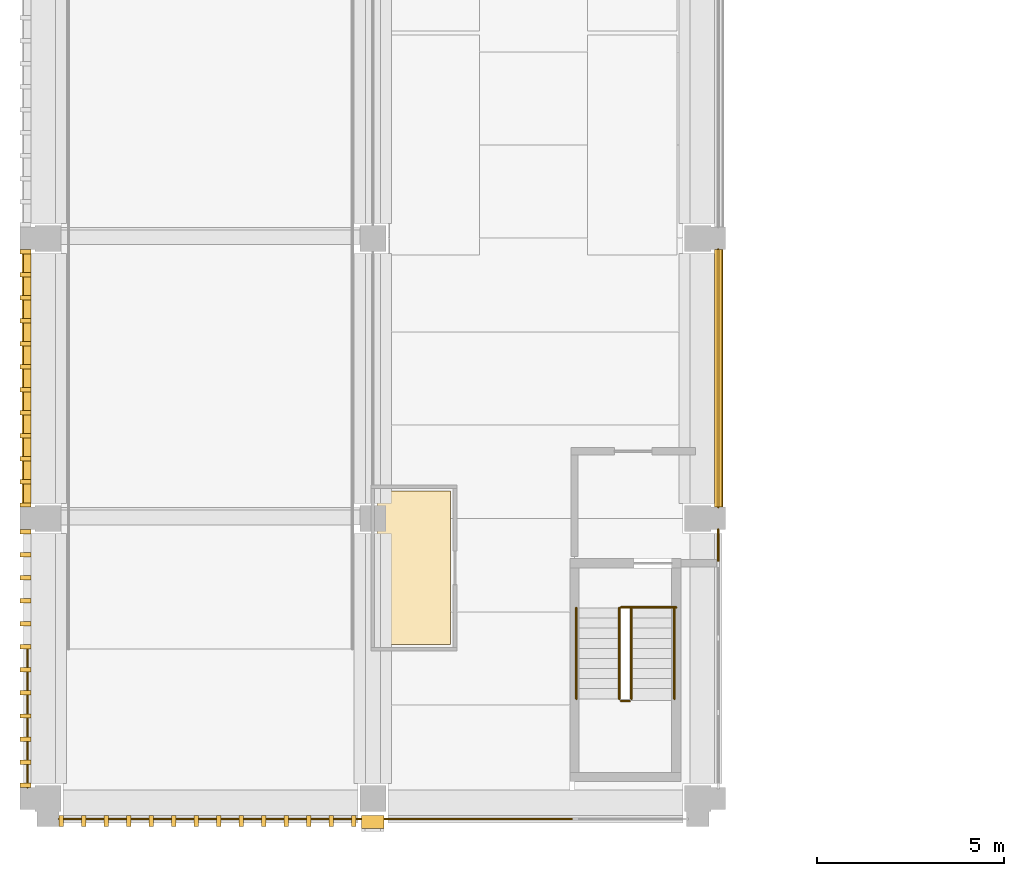
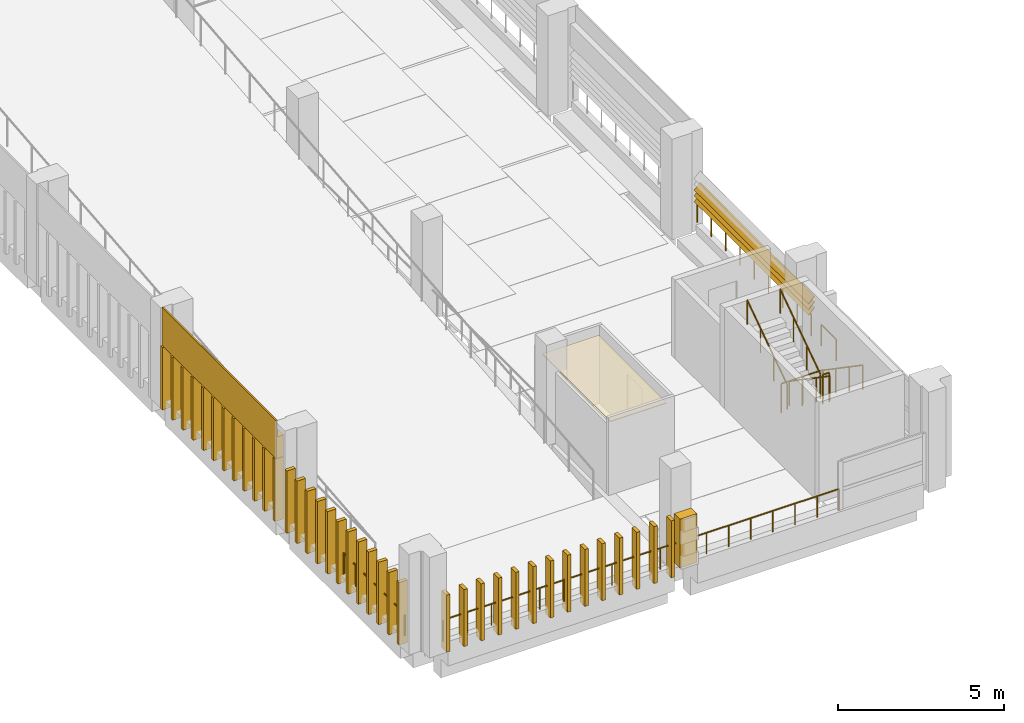
# One storey, part 15 of 24: 41 coverings, 11 railings, 3 shading devices.
"""IFC4 building model written with IfcOpenShell, lengths in metres."""

from ifc_helpers import new_model, si_unit, direction, frame, origin, origin_2d, place, context, subcontext, project, spatial, polyline, circle, outline, extrude, material, layer, layer_set, type_object, element, save


model = new_model("IFC4")

# Units and contexts
model_context = context("Model", 3, precision=1e-05, world=origin(), true_north=direction((0.0, 1.0)))
body_context = subcontext(model_context, "Body", "Model", "MODEL_VIEW")
ifc_project = project(units=[si_unit("LENGTHUNIT", "METRE"), si_unit("AREAUNIT", "SQUARE_METRE"), si_unit("VOLUMEUNIT", "CUBIC_METRE"), si_unit("PLANEANGLEUNIT", "RADIAN"), si_unit("MASSUNIT", "GRAM", prefix="KILO")], contexts=[model_context])

# Site, building, storey
site_placement = place(None, origin())
site = spatial("IfcSite", under=ifc_project, at=site_placement, CompositionType="ELEMENT")
building_placement = place(site_placement, origin())
building = spatial("IfcBuilding", under=site, at=building_placement, Name="Cour d'Honneur Mobility Palace", CompositionType="ELEMENT")
storey_placement = place(building_placement, frame((0.0, 0.0, 26.699951171875)))
storey = spatial("IfcBuildingStorey", under=building, at=storey_placement, Name="L07", CompositionType="ELEMENT", Elevation=26.699951171875)

# Railings
ifc_material_1 = material(Name="Painted steel", Category="steel")
railing_type_1 = type_object("IfcRailingType", Name="Balustrade", PredefinedType="BALUSTRADE", material=ifc_material_1)
railing_1_placement = place(storey_placement, frame((0.300048828125, -0.550048828125, 0.300048828125)))
element("IfcRailing", 1, at=railing_1_placement, inside=storey, type_object=railing_type_1, Name="Balustrade BAL-364", PredefinedType="BALUSTRADE", context=body_context, shape_type="SweptSolid", body=[
    extrude(circle(Radius=0.02392578125, at=origin_2d()), frame((0.0, 0.0, 0.77587890625), z_axis=(1.0, 0.0, 0.0), x_axis=(0.0, 1.0, 0.0)), (0.0, 0.0, 1.0), 8.39990234375),
    extrude(circle(Radius=0.02099609375, at=origin_2d()), origin(), (0.0, 0.0, 1.0), 0.751953125),
    extrude(circle(Radius=0.02099609375, at=origin_2d()), frame((0.840087890625, 0.0, 0.0)), (0.0, 0.0, 1.0), 0.751953125),
    extrude(circle(Radius=0.02099609375, at=origin_2d()), frame((1.679931640625, 0.0, 0.0)), (0.0, 0.0, 1.0), 0.751953125),
    extrude(circle(Radius=0.02099609375, at=origin_2d()), frame((2.52001953125, 0.0, 0.0)), (0.0, 0.0, 1.0), 0.751953125),
    extrude(circle(Radius=0.02099609375, at=origin_2d()), frame((3.35986328125, 0.0, 0.0)), (0.0, 0.0, 1.0), 0.751953125),
    extrude(circle(Radius=0.02099609375, at=origin_2d()), frame((4.199951171875, 0.0, 0.0)), (0.0, 0.0, 1.0), 0.751953125),
    extrude(circle(Radius=0.02099609375, at=origin_2d()), frame((5.0400390625, 0.0, 0.0)), (0.0, 0.0, 1.0), 0.751953125),
    extrude(circle(Radius=0.02099609375, at=origin_2d()), frame((5.8798828125, 0.0, 0.0)), (0.0, 0.0, 1.0), 0.751953125),
    extrude(circle(Radius=0.02099609375, at=origin_2d()), frame((6.719970703125, 0.0, 0.0)), (0.0, 0.0, 1.0), 0.751953125),
    extrude(circle(Radius=0.02099609375, at=origin_2d()), frame((7.559814453125, 0.0, 0.0)), (0.0, 0.0, 1.0), 0.751953125),
    extrude(circle(Radius=0.02099609375, at=origin_2d()), frame((8.39990234375, 0.0, 0.0)), (0.0, 0.0, 1.0), 0.751953125),
])
railing_2_placement = place(storey_placement, frame((8.699951171875, -0.550048828125, 0.300048828125)))
element("IfcRailing", 2, at=railing_2_placement, inside=storey, type_object=railing_type_1, Name="Balustrade BAL-365", PredefinedType="BALUSTRADE", context=body_context, shape_type="SweptSolid", body=[
    extrude(circle(Radius=0.02392578125, at=origin_2d()), frame((0.0, 0.0, 0.77587890625), z_axis=(1.0, 0.0, 0.0), x_axis=(0.0, 1.0, 0.0)), (0.0, 0.0, 1.0), 5.400146484375),
    extrude(circle(Radius=0.02099609375, at=origin_2d()), origin(), (0.0, 0.0, 1.0), 0.751953125),
    extrude(circle(Radius=0.02099609375, at=origin_2d()), frame((0.771484375, 0.0, 0.0)), (0.0, 0.0, 1.0), 0.751953125),
    extrude(circle(Radius=0.02099609375, at=origin_2d()), frame((1.54296875, 0.0, 0.0)), (0.0, 0.0, 1.0), 0.751953125),
    extrude(circle(Radius=0.02099609375, at=origin_2d()), frame((2.314453125, 0.0, 0.0)), (0.0, 0.0, 1.0), 0.751953125),
    extrude(circle(Radius=0.02099609375, at=origin_2d()), frame((3.085693359375, 0.0, 0.0)), (0.0, 0.0, 1.0), 0.751953125),
    extrude(circle(Radius=0.02099609375, at=origin_2d()), frame((3.857177734375, 0.0, 0.0)), (0.0, 0.0, 1.0), 0.751953125),
    extrude(circle(Radius=0.02099609375, at=origin_2d()), frame((4.628662109375, 0.0, 0.0)), (0.0, 0.0, 1.0), 0.751953125),
    extrude(circle(Radius=0.02099609375, at=origin_2d()), frame((5.400146484375, 0.0, 0.0)), (0.0, 0.0, 1.0), 0.751953125),
])
railing_3_placement = place(storey_placement, frame((17.949951171875, 6.300048828125, 0.300048828125)))
element("IfcRailing", 3, at=railing_3_placement, inside=storey, type_object=railing_type_1, Name="Balustrade BAL-366", PredefinedType="BALUSTRADE", context=body_context, shape_type="SweptSolid", body=[
    extrude(circle(Radius=0.02392578125, at=origin_2d()), frame((0.0, 0.0, 0.77587890625), z_axis=(0.0, 1.0, 0.0), x_axis=(-1.0, 0.0, 0.0)), (0.0, 0.0, 1.0), 0.89990234375),
    extrude(circle(Radius=0.02099609375, at=origin_2d()), origin(), (0.0, 0.0, 1.0), 0.751953125),
    extrude(circle(Radius=0.02099609375, at=origin_2d()), frame((0.0, 0.89990234375, 0.0)), (0.0, 0.0, 1.0), 0.751953125),
])
railing_4_placement = place(storey_placement, frame((17.949951171875, 7.800048828125, 0.300048828125)))
element("IfcRailing", 4, at=railing_4_placement, inside=storey, type_object=railing_type_1, Name="Balustrade BAL-367", PredefinedType="BALUSTRADE", context=body_context, shape_type="SweptSolid", body=[
    extrude(circle(Radius=0.02392578125, at=origin_2d()), frame((0.0, 0.0, 0.77587890625), z_axis=(0.0, 1.0, 0.0), x_axis=(-1.0, 0.0, 0.0)), (0.0, 0.0, 1.0), 6.89990234375),
    extrude(circle(Radius=0.02099609375, at=origin_2d()), origin(), (0.0, 0.0, 1.0), 0.751953125),
    extrude(circle(Radius=0.02099609375, at=origin_2d()), frame((0.0, 0.862548828125, 0.0)), (0.0, 0.0, 1.0), 0.751953125),
    extrude(circle(Radius=0.02099609375, at=origin_2d()), frame((0.0, 1.72509765625, 0.0)), (0.0, 0.0, 1.0), 0.751953125),
    extrude(circle(Radius=0.02099609375, at=origin_2d()), frame((0.0, 2.58740234375, 0.0)), (0.0, 0.0, 1.0), 0.751953125),
    extrude(circle(Radius=0.02099609375, at=origin_2d()), frame((0.0, 3.449951171875, 0.0)), (0.0, 0.0, 1.0), 0.751953125),
    extrude(circle(Radius=0.02099609375, at=origin_2d()), frame((0.0, 4.3125, 0.0)), (0.0, 0.0, 1.0), 0.751953125),
    extrude(circle(Radius=0.02099609375, at=origin_2d()), frame((0.0, 5.1748046875, 0.0)), (0.0, 0.0, 1.0), 0.751953125),
    extrude(circle(Radius=0.02099609375, at=origin_2d()), frame((0.0, 6.037353515625, 0.0)), (0.0, 0.0, 1.0), 0.751953125),
    extrude(circle(Radius=0.02099609375, at=origin_2d()), frame((0.0, 6.89990234375, 0.0)), (0.0, 0.0, 1.0), 0.751953125),
])
railing_5_placement = place(storey_placement, frame((-0.550048828125, 4.0, 0.300048828125)))
element("IfcRailing", 5, at=railing_5_placement, inside=storey, type_object=railing_type_1, Name="Balustrade BAL-375", PredefinedType="BALUSTRADE", context=body_context, shape_type="SweptSolid", body=[
    extrude(circle(Radius=0.02392578125, at=origin_2d()), frame((0.0, 0.0, 0.77587890625), z_axis=(0.0, -1.0, 0.0), x_axis=(1.0, 0.0, 0.0)), (0.0, 0.0, 1.0), 3.699951171875),
    extrude(circle(Radius=0.02099609375, at=origin_2d()), origin(), (0.0, 0.0, 1.0), 0.751953125),
    extrude(circle(Radius=0.02099609375, at=origin_2d()), frame((0.0, -0.739990234375, 0.0)), (0.0, 0.0, 1.0), 0.751953125),
    extrude(circle(Radius=0.02099609375, at=origin_2d()), frame((0.0, -1.47998046875, 0.0)), (0.0, 0.0, 1.0), 0.751953125),
    extrude(circle(Radius=0.02099609375, at=origin_2d()), frame((0.0, -2.219970703125, 0.0)), (0.0, 0.0, 1.0), 0.751953125),
    extrude(circle(Radius=0.02099609375, at=origin_2d()), frame((0.0, -2.9599609375, 0.0)), (0.0, 0.0, 1.0), 0.751953125),
    extrude(circle(Radius=0.02099609375, at=origin_2d()), frame((0.0, -3.699951171875, 0.0)), (0.0, 0.0, 1.0), 0.751953125),
])
ifc_material_2 = material(Name="Painted steel", Category="steel")
railing_type_2 = type_object("IfcRailingType", Name="Guardrail 1100", PredefinedType="GUARDRAIL", material=ifc_material_2)
railing_6_placement = place(storey_placement, frame((15.35009765625, 5.1201171875, 0.0)))
element("IfcRailing", 6, at=railing_6_placement, inside=storey, type_object=railing_type_2, Name="Guard ST-RW1", PredefinedType="GUARDRAIL", context=body_context, shape_type="SweptSolid", body=[
    extrude(circle(Radius=0.02490234375, at=origin_2d()), frame((0.0, 0.0, 1.0751953125), z_axis=(1.0, 0.0, 0.0), x_axis=(0.0, 1.0, 0.0)), (0.0, 0.0, 1.0), 1.474853515625),
    extrude(circle(Radius=0.02099609375, at=origin_2d()), origin(), (0.0, 0.0, 1.0), 1.050048828125),
    extrude(circle(Radius=0.02099609375, at=origin_2d()), frame((0.7373046875, 0.0, 0.0)), (0.0, 0.0, 1.0), 1.050048828125),
    extrude(circle(Radius=0.02099609375, at=origin_2d()), frame((1.474853515625, 0.0, 0.0)), (0.0, 0.0, 1.0), 1.050048828125),
])
railing_7_placement = place(storey_placement, frame((15.35009765625, 2.610107421875, 1.85009765625)))
element("IfcRailing", 7, at=railing_7_placement, inside=storey, type_object=railing_type_2, Name="Landing guard ST-RW1", PredefinedType="GUARDRAIL", context=body_context, shape_type="SweptSolid", body=[
    extrude(circle(Radius=0.02490234375, at=origin_2d()), frame((0.0, 0.0, 1.0751953125), z_axis=(1.0, 0.0, 0.0), x_axis=(0.0, 1.0, 0.0)), (0.0, 0.0, 1.0), 0.224853515625),
    extrude(circle(Radius=0.02099609375, at=origin_2d()), origin(), (0.0, 0.0, 1.0), 1.050048828125),
    extrude(circle(Radius=0.02099609375, at=origin_2d()), frame((0.224853515625, 0.0, 0.0)), (0.0, 0.0, 1.0), 1.050048828125),
])
ifc_material_3 = material(Name="Stainless steel", Category="steel")
railing_type_3 = type_object("IfcRailingType", Name="Handrail round 50", PredefinedType="HANDRAIL", material=ifc_material_3)
for number, where, name in (
    (8, (16.77490234375, 5.10009765625, 0.18505859375), "Handrail ST-RW1"),
    (9, (15.625, 5.10009765625, 0.18505859375), "Handrail ST-RW1"),
):
    element("IfcRailing", number, at=place(storey_placement, frame(where)), inside=storey, type_object=railing_type_3, Name=name, PredefinedType="HANDRAIL", context=body_context, shape_type="SweptSolid", body=[
        extrude(circle(Radius=0.02490234375, at=origin_2d()), frame((0.0, 0.0, 0.89501953125), z_axis=(0.0, -0.824945253146, 0.565212640793), x_axis=(1.0, 0.0, 0.0)), (0.0, 0.0, 1.0), 2.94580078125),
        extrude(circle(Radius=0.02099609375, at=origin_2d()), origin(), (0.0, 0.0, 1.0), 0.869873046875),
        extrude(circle(Radius=0.02099609375, at=origin_2d()), frame((0.0, -0.81005859375, 0.554931640625)), (0.0, 0.0, 1.0), 0.869873046875),
        extrude(circle(Radius=0.02099609375, at=origin_2d()), frame((0.0, -1.6201171875, 1.110107421875)), (0.0, 0.0, 1.0), 0.869873046875),
        extrude(circle(Radius=0.02099609375, at=origin_2d()), frame((0.0, -2.43017578125, 1.6650390625)), (0.0, 0.0, 1.0), 0.869873046875),
    ])
for number, where, name in (
    (10, (15.300048828125, 2.669921875, 2.03515625), "Handrail ST-RW1"),
    (11, (14.14990234375, 2.669921875, 2.03515625), "Handrail ST-RW1"),
):
    element("IfcRailing", number, at=place(storey_placement, frame(where)), inside=storey, type_object=railing_type_3, Name=name, PredefinedType="HANDRAIL", context=body_context, shape_type="SweptSolid", body=[
        extrude(circle(Radius=0.02490234375, at=origin_2d()), frame((0.0, 0.0, 0.89501953125), z_axis=(0.0, 0.824983895463, 0.565156237006), x_axis=(-1.0, 0.0, 0.0)), (0.0, 0.0, 1.0), 2.94580078125),
        extrude(circle(Radius=0.02099609375, at=origin_2d()), origin(), (0.0, 0.0, 1.0), 0.869873046875),
        extrude(circle(Radius=0.02099609375, at=origin_2d()), frame((0.0, 0.81005859375, 0.554931640625)), (0.0, 0.0, 1.0), 0.869873046875),
        extrude(circle(Radius=0.02099609375, at=origin_2d()), frame((0.0, 1.6201171875, 1.10986328125)), (0.0, 0.0, 1.0), 0.869873046875),
        extrude(circle(Radius=0.02099609375, at=origin_2d()), frame((0.0, 2.43017578125, 1.664794921875)), (0.0, 0.0, 1.0), 0.869873046875),
    ])

# Coverings
ifc_material_4 = material(Name="Cast limestone", Category="masonry")
ifc_layer_1 = layer(ifc_material_4, 0.35009765625)
ifc_layer_set_1 = layer_set([ifc_layer_1], Name="Cast limestone")
covering_type_1 = type_object("IfcCoveringType", Name="Pier pilaster", PredefinedType="CLADDING", material=ifc_layer_set_1)
covering_1_placement = place(storey_placement, frame((0.0, 0.0, 0.300048828125)))
element("IfcCovering", 12, at=covering_1_placement, inside=storey, type_object=covering_type_1, Name="Pier pilaster PN-13", PredefinedType="CLADDING", context=body_context, shape_type="SweptSolid", body=[
    extrude(outline(polyline([(8.39990234375, -0.449951171875), (9.0, -0.449951171875), (9.0, -0.800048828125), (8.39990234375, -0.800048828125), (8.39990234375, -0.449951171875)])), origin(), (0.0, 0.0, 1.0), 1.800048828125),
])
ifc_material_5 = material(Name="Cast limestone", Category="masonry")
ifc_layer_2 = layer(ifc_material_5, 0.1201171875)
ifc_layer_set_2 = layer_set([ifc_layer_2], Name="Cast limestone")
covering_type_2 = type_object("IfcCoveringType", Name="Ramp screen fin", PredefinedType="CLADDING", material=ifc_layer_set_2)
covering_2_placement = place(storey_placement, origin())
element("IfcCovering", 13, at=covering_2_placement, inside=storey, type_object=covering_type_2, Name="Ramp screen fin S0.0 L07 1", PredefinedType="CLADDING", context=body_context, shape_type="SweptSolid", body=[
    extrude(outline(polyline([(0.300048828125, -0.449951171875), (0.419921875, -0.449951171875), (0.419921875, -0.75), (0.300048828125, -0.75), (0.300048828125, -0.449951171875)])), origin(), (0.0, 0.0, 1.0), 2.10009765625),
])
covering_3_placement = place(storey_placement, origin())
element("IfcCovering", 14, at=covering_3_placement, inside=storey, type_object=covering_type_2, Name="Ramp screen fin S0.0 L07 2", PredefinedType="CLADDING", context=body_context, shape_type="SweptSolid", body=[
    extrude(outline(polyline([(0.90234375, -0.449951171875), (1.022216796875, -0.449951171875), (1.022216796875, -0.75), (0.90234375, -0.75), (0.90234375, -0.449951171875)])), origin(), (0.0, 0.0, 1.0), 2.10009765625),
])
covering_4_placement = place(storey_placement, origin())
element("IfcCovering", 15, at=covering_4_placement, inside=storey, type_object=covering_type_2, Name="Ramp screen fin S0.0 L07 3", PredefinedType="CLADDING", context=body_context, shape_type="SweptSolid", body=[
    extrude(outline(polyline([(1.504638671875, -0.449951171875), (1.62451171875, -0.449951171875), (1.62451171875, -0.75), (1.504638671875, -0.75), (1.504638671875, -0.449951171875)])), origin(), (0.0, 0.0, 1.0), 2.10009765625),
])
covering_5_placement = place(storey_placement, origin())
element("IfcCovering", 16, at=covering_5_placement, inside=storey, type_object=covering_type_2, Name="Ramp screen fin S0.0 L07 4", PredefinedType="CLADDING", context=body_context, shape_type="SweptSolid", body=[
    extrude(outline(polyline([(2.10693359375, -0.449951171875), (2.226806640625, -0.449951171875), (2.226806640625, -0.75), (2.10693359375, -0.75), (2.10693359375, -0.449951171875)])), origin(), (0.0, 0.0, 1.0), 2.10009765625),
])
covering_6_placement = place(storey_placement, origin())
element("IfcCovering", 17, at=covering_6_placement, inside=storey, type_object=covering_type_2, Name="Ramp screen fin S0.0 L07 5", PredefinedType="CLADDING", context=body_context, shape_type="SweptSolid", body=[
    extrude(outline(polyline([(2.709228515625, -0.449951171875), (2.829345703125, -0.449951171875), (2.829345703125, -0.75), (2.709228515625, -0.75), (2.709228515625, -0.449951171875)])), origin(), (0.0, 0.0, 1.0), 2.10009765625),
])
covering_7_placement = place(storey_placement, origin())
element("IfcCovering", 18, at=covering_7_placement, inside=storey, type_object=covering_type_2, Name="Ramp screen fin S0.0 L07 6", PredefinedType="CLADDING", context=body_context, shape_type="SweptSolid", body=[
    extrude(outline(polyline([(3.3115234375, -0.449951171875), (3.431640625, -0.449951171875), (3.431640625, -0.75), (3.3115234375, -0.75), (3.3115234375, -0.449951171875)])), origin(), (0.0, 0.0, 1.0), 2.10009765625),
])
covering_8_placement = place(storey_placement, origin())
element("IfcCovering", 19, at=covering_8_placement, inside=storey, type_object=covering_type_2, Name="Ramp screen fin S0.0 L07 7", PredefinedType="CLADDING", context=body_context, shape_type="SweptSolid", body=[
    extrude(outline(polyline([(3.913818359375, -0.449951171875), (4.033935546875, -0.449951171875), (4.033935546875, -0.75), (3.913818359375, -0.75), (3.913818359375, -0.449951171875)])), origin(), (0.0, 0.0, 1.0), 2.10009765625),
])
covering_9_placement = place(storey_placement, origin())
element("IfcCovering", 20, at=covering_9_placement, inside=storey, type_object=covering_type_2, Name="Ramp screen fin S0.0 L07 8", PredefinedType="CLADDING", context=body_context, shape_type="SweptSolid", body=[
    extrude(outline(polyline([(4.51611328125, -0.449951171875), (4.63623046875, -0.449951171875), (4.63623046875, -0.75), (4.51611328125, -0.75), (4.51611328125, -0.449951171875)])), origin(), (0.0, 0.0, 1.0), 2.10009765625),
])
covering_10_placement = place(storey_placement, origin())
element("IfcCovering", 21, at=covering_10_placement, inside=storey, type_object=covering_type_2, Name="Ramp screen fin S0.0 L07 9", PredefinedType="CLADDING", context=body_context, shape_type="SweptSolid", body=[
    extrude(outline(polyline([(5.118408203125, -0.449951171875), (5.238525390625, -0.449951171875), (5.238525390625, -0.75), (5.118408203125, -0.75), (5.118408203125, -0.449951171875)])), origin(), (0.0, 0.0, 1.0), 2.10009765625),
])
covering_11_placement = place(storey_placement, origin())
element("IfcCovering", 22, at=covering_11_placement, inside=storey, type_object=covering_type_2, Name="Ramp screen fin S0.0 L07 10", PredefinedType="CLADDING", context=body_context, shape_type="SweptSolid", body=[
    extrude(outline(polyline([(5.720703125, -0.449951171875), (5.8408203125, -0.449951171875), (5.8408203125, -0.75), (5.720703125, -0.75), (5.720703125, -0.449951171875)])), origin(), (0.0, 0.0, 1.0), 2.10009765625),
])
covering_12_placement = place(storey_placement, origin())
element("IfcCovering", 23, at=covering_12_placement, inside=storey, type_object=covering_type_2, Name="Ramp screen fin S0.0 L07 11", PredefinedType="CLADDING", context=body_context, shape_type="SweptSolid", body=[
    extrude(outline(polyline([(6.322998046875, -0.449951171875), (6.443115234375, -0.449951171875), (6.443115234375, -0.75), (6.322998046875, -0.75), (6.322998046875, -0.449951171875)])), origin(), (0.0, 0.0, 1.0), 2.10009765625),
])
covering_13_placement = place(storey_placement, origin())
element("IfcCovering", 24, at=covering_13_placement, inside=storey, type_object=covering_type_2, Name="Ramp screen fin S0.0 L07 12", PredefinedType="CLADDING", context=body_context, shape_type="SweptSolid", body=[
    extrude(outline(polyline([(6.92529296875, -0.449951171875), (7.04541015625, -0.449951171875), (7.04541015625, -0.75), (6.92529296875, -0.75), (6.92529296875, -0.449951171875)])), origin(), (0.0, 0.0, 1.0), 2.10009765625),
])
covering_14_placement = place(storey_placement, origin())
element("IfcCovering", 25, at=covering_14_placement, inside=storey, type_object=covering_type_2, Name="Ramp screen fin S0.0 L07 13", PredefinedType="CLADDING", context=body_context, shape_type="SweptSolid", body=[
    extrude(outline(polyline([(7.527587890625, -0.449951171875), (7.647705078125, -0.449951171875), (7.647705078125, -0.75), (7.527587890625, -0.75), (7.527587890625, -0.449951171875)])), origin(), (0.0, 0.0, 1.0), 2.10009765625),
])
covering_15_placement = place(storey_placement, origin())
element("IfcCovering", 26, at=covering_15_placement, inside=storey, type_object=covering_type_2, Name="Ramp screen fin S0.0 L07 14", PredefinedType="CLADDING", context=body_context, shape_type="SweptSolid", body=[
    extrude(outline(polyline([(8.1298828125, -0.449951171875), (8.25, -0.449951171875), (8.25, -0.75), (8.1298828125, -0.75), (8.1298828125, -0.449951171875)])), origin(), (0.0, 0.0, 1.0), 2.10009765625),
])
covering_16_placement = place(storey_placement, origin())
element("IfcCovering", 27, at=covering_16_placement, inside=storey, type_object=covering_type_2, Name="Ramp screen fin W3.5 L07 1", PredefinedType="CLADDING", context=body_context, shape_type="SweptSolid", body=[
    extrude(outline(polyline([(-0.449951171875, 14.699951171875), (-0.449951171875, 14.580078125), (-0.75, 14.580078125), (-0.75, 14.699951171875), (-0.449951171875, 14.699951171875)])), origin(), (0.0, 0.0, 1.0), 2.300048828125),
])
covering_17_placement = place(storey_placement, origin())
element("IfcCovering", 28, at=covering_17_placement, inside=storey, type_object=covering_type_2, Name="Ramp screen fin W3.5 L07 2", PredefinedType="CLADDING", context=body_context, shape_type="SweptSolid", body=[
    extrude(outline(polyline([(-0.449951171875, 14.083740234375), (-0.449951171875, 13.963623046875), (-0.75, 13.963623046875), (-0.75, 14.083740234375), (-0.449951171875, 14.083740234375)])), origin(), (0.0, 0.0, 1.0), 2.300048828125),
])
covering_18_placement = place(storey_placement, origin())
element("IfcCovering", 29, at=covering_18_placement, inside=storey, type_object=covering_type_2, Name="Ramp screen fin W3.5 L07 3", PredefinedType="CLADDING", context=body_context, shape_type="SweptSolid", body=[
    extrude(outline(polyline([(-0.449951171875, 13.46728515625), (-0.449951171875, 13.34716796875), (-0.75, 13.34716796875), (-0.75, 13.46728515625), (-0.449951171875, 13.46728515625)])), origin(), (0.0, 0.0, 1.0), 2.300048828125),
])
covering_19_placement = place(storey_placement, origin())
element("IfcCovering", 30, at=covering_19_placement, inside=storey, type_object=covering_type_2, Name="Ramp screen fin W3.5 L07 4", PredefinedType="CLADDING", context=body_context, shape_type="SweptSolid", body=[
    extrude(outline(polyline([(-0.449951171875, 12.850830078125), (-0.449951171875, 12.73095703125), (-0.75, 12.73095703125), (-0.75, 12.850830078125), (-0.449951171875, 12.850830078125)])), origin(), (0.0, 0.0, 1.0), 2.300048828125),
])
covering_20_placement = place(storey_placement, origin())
element("IfcCovering", 31, at=covering_20_placement, inside=storey, type_object=covering_type_2, Name="Ramp screen fin W3.5 L07 5", PredefinedType="CLADDING", context=body_context, shape_type="SweptSolid", body=[
    extrude(outline(polyline([(-0.449951171875, 12.234619140625), (-0.449951171875, 12.114501953125), (-0.75, 12.114501953125), (-0.75, 12.234619140625), (-0.449951171875, 12.234619140625)])), origin(), (0.0, 0.0, 1.0), 2.300048828125),
])
covering_21_placement = place(storey_placement, origin())
element("IfcCovering", 32, at=covering_21_placement, inside=storey, type_object=covering_type_2, Name="Ramp screen fin W3.5 L07 6", PredefinedType="CLADDING", context=body_context, shape_type="SweptSolid", body=[
    extrude(outline(polyline([(-0.449951171875, 11.6181640625), (-0.449951171875, 11.498291015625), (-0.75, 11.498291015625), (-0.75, 11.6181640625), (-0.449951171875, 11.6181640625)])), origin(), (0.0, 0.0, 1.0), 2.300048828125),
])
covering_22_placement = place(storey_placement, origin())
element("IfcCovering", 33, at=covering_22_placement, inside=storey, type_object=covering_type_2, Name="Ramp screen fin W3.5 L07 7", PredefinedType="CLADDING", context=body_context, shape_type="SweptSolid", body=[
    extrude(outline(polyline([(-0.449951171875, 11.001708984375), (-0.449951171875, 10.8818359375), (-0.75, 10.8818359375), (-0.75, 11.001708984375), (-0.449951171875, 11.001708984375)])), origin(), (0.0, 0.0, 1.0), 2.300048828125),
])
covering_23_placement = place(storey_placement, origin())
element("IfcCovering", 34, at=covering_23_placement, inside=storey, type_object=covering_type_2, Name="Ramp screen fin W3.5 L07 8", PredefinedType="CLADDING", context=body_context, shape_type="SweptSolid", body=[
    extrude(outline(polyline([(-0.449951171875, 10.385498046875), (-0.449951171875, 10.265380859375), (-0.75, 10.265380859375), (-0.75, 10.385498046875), (-0.449951171875, 10.385498046875)])), origin(), (0.0, 0.0, 1.0), 2.300048828125),
])
covering_24_placement = place(storey_placement, origin())
element("IfcCovering", 35, at=covering_24_placement, inside=storey, type_object=covering_type_2, Name="Ramp screen fin W3.5 L07 9", PredefinedType="CLADDING", context=body_context, shape_type="SweptSolid", body=[
    extrude(outline(polyline([(-0.449951171875, 9.76904296875), (-0.449951171875, 9.649169921875), (-0.75, 9.649169921875), (-0.75, 9.76904296875), (-0.449951171875, 9.76904296875)])), origin(), (0.0, 0.0, 1.0), 2.300048828125),
])
covering_25_placement = place(storey_placement, origin())
element("IfcCovering", 36, at=covering_25_placement, inside=storey, type_object=covering_type_2, Name="Ramp screen fin W3.5 L07 10", PredefinedType="CLADDING", context=body_context, shape_type="SweptSolid", body=[
    extrude(outline(polyline([(-0.449951171875, 9.15283203125), (-0.449951171875, 9.03271484375), (-0.75, 9.03271484375), (-0.75, 9.15283203125), (-0.449951171875, 9.15283203125)])), origin(), (0.0, 0.0, 1.0), 2.300048828125),
])
covering_26_placement = place(storey_placement, origin())
element("IfcCovering", 37, at=covering_26_placement, inside=storey, type_object=covering_type_2, Name="Ramp screen fin W3.5 L07 11", PredefinedType="CLADDING", context=body_context, shape_type="SweptSolid", body=[
    extrude(outline(polyline([(-0.449951171875, 8.536376953125), (-0.449951171875, 8.416259765625), (-0.75, 8.416259765625), (-0.75, 8.536376953125), (-0.449951171875, 8.536376953125)])), origin(), (0.0, 0.0, 1.0), 2.300048828125),
])
covering_27_placement = place(storey_placement, origin())
element("IfcCovering", 38, at=covering_27_placement, inside=storey, type_object=covering_type_2, Name="Ramp screen fin W3.5 L07 12", PredefinedType="CLADDING", context=body_context, shape_type="SweptSolid", body=[
    extrude(outline(polyline([(-0.449951171875, 7.919921875), (-0.449951171875, 7.800048828125), (-0.75, 7.800048828125), (-0.75, 7.919921875), (-0.449951171875, 7.919921875)])), origin(), (0.0, 0.0, 1.0), 2.300048828125),
])
covering_28_placement = place(storey_placement, origin())
element("IfcCovering", 39, at=covering_28_placement, inside=storey, type_object=covering_type_2, Name="Ramp screen fin W3.6 L07 1", PredefinedType="CLADDING", context=body_context, shape_type="SweptSolid", body=[
    extrude(outline(polyline([(-0.449951171875, 7.199951171875), (-0.449951171875, 7.080078125), (-0.75, 7.080078125), (-0.75, 7.199951171875), (-0.449951171875, 7.199951171875)])), origin(), (0.0, 0.0, 1.0), 2.300048828125),
])
covering_29_placement = place(storey_placement, origin())
element("IfcCovering", 40, at=covering_29_placement, inside=storey, type_object=covering_type_2, Name="Ramp screen fin W3.6 L07 2", PredefinedType="CLADDING", context=body_context, shape_type="SweptSolid", body=[
    extrude(outline(polyline([(-0.449951171875, 6.583740234375), (-0.449951171875, 6.463623046875), (-0.75, 6.463623046875), (-0.75, 6.583740234375), (-0.449951171875, 6.583740234375)])), origin(), (0.0, 0.0, 1.0), 2.300048828125),
])
covering_30_placement = place(storey_placement, origin())
element("IfcCovering", 41, at=covering_30_placement, inside=storey, type_object=covering_type_2, Name="Ramp screen fin W3.6 L07 3", PredefinedType="CLADDING", context=body_context, shape_type="SweptSolid", body=[
    extrude(outline(polyline([(-0.449951171875, 5.96728515625), (-0.449951171875, 5.84716796875), (-0.75, 5.84716796875), (-0.75, 5.96728515625), (-0.449951171875, 5.96728515625)])), origin(), (0.0, 0.0, 1.0), 2.300048828125),
])
covering_31_placement = place(storey_placement, origin())
element("IfcCovering", 42, at=covering_31_placement, inside=storey, type_object=covering_type_2, Name="Ramp screen fin W3.6 L07 4", PredefinedType="CLADDING", context=body_context, shape_type="SweptSolid", body=[
    extrude(outline(polyline([(-0.449951171875, 5.350830078125), (-0.449951171875, 5.23095703125), (-0.75, 5.23095703125), (-0.75, 5.350830078125), (-0.449951171875, 5.350830078125)])), origin(), (0.0, 0.0, 1.0), 2.300048828125),
])
covering_32_placement = place(storey_placement, origin())
element("IfcCovering", 43, at=covering_32_placement, inside=storey, type_object=covering_type_2, Name="Ramp screen fin W3.6 L07 5", PredefinedType="CLADDING", context=body_context, shape_type="SweptSolid", body=[
    extrude(outline(polyline([(-0.449951171875, 4.734619140625), (-0.449951171875, 4.614501953125), (-0.75, 4.614501953125), (-0.75, 4.734619140625), (-0.449951171875, 4.734619140625)])), origin(), (0.0, 0.0, 1.0), 2.300048828125),
])
covering_33_placement = place(storey_placement, origin())
element("IfcCovering", 44, at=covering_33_placement, inside=storey, type_object=covering_type_2, Name="Ramp screen fin W3.6 L07 6", PredefinedType="CLADDING", context=body_context, shape_type="SweptSolid", body=[
    extrude(outline(polyline([(-0.449951171875, 4.1181640625), (-0.449951171875, 3.998291015625), (-0.75, 3.998291015625), (-0.75, 4.1181640625), (-0.449951171875, 4.1181640625)])), origin(), (0.0, 0.0, 1.0), 2.300048828125),
])
covering_34_placement = place(storey_placement, origin())
element("IfcCovering", 45, at=covering_34_placement, inside=storey, type_object=covering_type_2, Name="Ramp screen fin W3.6 L07 7", PredefinedType="CLADDING", context=body_context, shape_type="SweptSolid", body=[
    extrude(outline(polyline([(-0.449951171875, 3.501708984375), (-0.449951171875, 3.3818359375), (-0.75, 3.3818359375), (-0.75, 3.501708984375), (-0.449951171875, 3.501708984375)])), origin(), (0.0, 0.0, 1.0), 2.300048828125),
])
covering_35_placement = place(storey_placement, origin())
element("IfcCovering", 46, at=covering_35_placement, inside=storey, type_object=covering_type_2, Name="Ramp screen fin W3.6 L07 8", PredefinedType="CLADDING", context=body_context, shape_type="SweptSolid", body=[
    extrude(outline(polyline([(-0.449951171875, 2.885498046875), (-0.449951171875, 2.765380859375), (-0.75, 2.765380859375), (-0.75, 2.885498046875), (-0.449951171875, 2.885498046875)])), origin(), (0.0, 0.0, 1.0), 2.300048828125),
])
covering_36_placement = place(storey_placement, origin())
element("IfcCovering", 47, at=covering_36_placement, inside=storey, type_object=covering_type_2, Name="Ramp screen fin W3.6 L07 9", PredefinedType="CLADDING", context=body_context, shape_type="SweptSolid", body=[
    extrude(outline(polyline([(-0.449951171875, 2.26904296875), (-0.449951171875, 2.149169921875), (-0.75, 2.149169921875), (-0.75, 2.26904296875), (-0.449951171875, 2.26904296875)])), origin(), (0.0, 0.0, 1.0), 2.300048828125),
])
covering_37_placement = place(storey_placement, origin())
element("IfcCovering", 48, at=covering_37_placement, inside=storey, type_object=covering_type_2, Name="Ramp screen fin W3.6 L07 10", PredefinedType="CLADDING", context=body_context, shape_type="SweptSolid", body=[
    extrude(outline(polyline([(-0.449951171875, 1.65283203125), (-0.449951171875, 1.53271484375), (-0.75, 1.53271484375), (-0.75, 1.65283203125), (-0.449951171875, 1.65283203125)])), origin(), (0.0, 0.0, 1.0), 2.300048828125),
])
covering_38_placement = place(storey_placement, origin())
element("IfcCovering", 49, at=covering_38_placement, inside=storey, type_object=covering_type_2, Name="Ramp screen fin W3.6 L07 11", PredefinedType="CLADDING", context=body_context, shape_type="SweptSolid", body=[
    extrude(outline(polyline([(-0.449951171875, 1.036376953125), (-0.449951171875, 0.916259765625), (-0.75, 0.916259765625), (-0.75, 1.036376953125), (-0.449951171875, 1.036376953125)])), origin(), (0.0, 0.0, 1.0), 2.300048828125),
])
covering_39_placement = place(storey_placement, origin())
element("IfcCovering", 50, at=covering_39_placement, inside=storey, type_object=covering_type_2, Name="Ramp screen fin W3.6 L07 12", PredefinedType="CLADDING", context=body_context, shape_type="SweptSolid", body=[
    extrude(outline(polyline([(-0.449951171875, 0.419921875), (-0.449951171875, 0.300048828125), (-0.75, 0.300048828125), (-0.75, 0.419921875), (-0.449951171875, 0.419921875)])), origin(), (0.0, 0.0, 1.0), 2.300048828125),
])
ifc_material_6 = material(Name="Cast limestone", Category="masonry")
ifc_layer_3 = layer(ifc_material_6, 0.25)
ifc_layer_set_3 = layer_set([ifc_layer_3], Name="Cast limestone")
covering_type_3 = type_object("IfcCoveringType", Name="Spandrel cladding", PredefinedType="CLADDING", material=ifc_layer_set_3)
covering_40_placement = place(storey_placement, frame((-0.449951171875, 14.699951171875, 2.300048828125), z_axis=(0.0, 1.0, 0.0), x_axis=(-1.0, 0.0, 0.0)))
element("IfcCovering", 51, at=covering_40_placement, inside=storey, type_object=covering_type_3, Name="Spandrel cladding SK-382", PredefinedType="CLADDING", context=body_context, shape_type="SweptSolid", body=[
    extrude(outline(polyline([(0.0, 0.0), (0.25, 0.0), (0.25, 1.39990234375), (0.199951171875, 1.39990234375), (0.199951171875, 0.800048828125), (0.0, 0.800048828125), (0.0, 0.0)])), origin(), (0.0, 0.0, -1.0), 6.89990234375),
])
ifc_material_7 = material(Name="Suspended ceiling")
ifc_layer_4 = layer(ifc_material_7, 0.030029296875)
ifc_layer_set_4 = layer_set([ifc_layer_4], Name="Suspended ceiling")
covering_type_4 = type_object("IfcCoveringType", Name="Suspended ceiling", PredefinedType="CEILING", material=ifc_layer_set_4)
covering_41_placement = place(storey_placement, frame((0.0, 0.0, 2.550048828125)))
element("IfcCovering", 52, at=covering_41_placement, inside=storey, type_object=covering_type_4, Name="Ceiling Valet Handover West", PredefinedType="CEILING", context=body_context, shape_type="SweptSolid", body=[
    extrude(outline(polyline([(10.780029296875, 4.1201171875), (8.820068359375, 4.1201171875), (8.820068359375, 8.22998046875), (10.780029296875, 8.22998046875), (10.780029296875, 4.1201171875)])), origin(), (0.0, 0.0, 1.0), 0.030029296875),
])

# Shading devices
ifc_material_8 = material(Name="Terracotta", Category="masonry")
ifc_layer_5 = layer(ifc_material_8, 0.02490234375)
ifc_layer_set_5 = layer_set([ifc_layer_5], Name="Terracotta")
shading_device_type = type_object("IfcShadingDeviceType", Name="Terracotta louvre blade", PredefinedType="JALOUSIE", material=ifc_layer_set_5)
for number, where, z_axis, x_axis, name in (
    (53, (17.843994140625, 7.800048828125, 1.10009765625), (-0.707106781187, 0.0, 0.707106781187), (0.0, 1.0, 0.0), "Louvre blade LV-1 E1.1 L07 1"),
    (54, (17.843994140625, 7.800048828125, 1.312255859375), (-0.707106781187, 0.0, 0.707106781187), (0.0, 1.0, 0.0), "Louvre blade LV-1 E1.1 L07 2"),
):
    element("IfcShadingDevice", number, at=place(storey_placement, frame(where, z_axis=z_axis, x_axis=x_axis)), inside=storey, type_object=shading_device_type, Name=name, PredefinedType="JALOUSIE", context=body_context, shape_type="SweptSolid", body=[
        extrude(outline(polyline([(0.0, 0.0), (6.89990234375, 0.0), (6.89990234375, -0.300037008228081), (0.0, -0.300037008228081), (0.0, 0.0)])), origin(), (0.0, 0.0, -1.0), 0.02490234375),
    ])
shading_device_placement = place(storey_placement, frame((17.843994140625, 7.800048828125, 1.5244140625), z_axis=(-0.706699578995, 0.0, 0.707513749017), x_axis=(0.0, 1.0, 0.0)))
element("IfcShadingDevice", 55, at=shading_device_placement, inside=storey, type_object=shading_device_type, Name="Louvre blade LV-1 E1.1 L07 3", PredefinedType="JALOUSIE", context=body_context, shape_type="SweptSolid", body=[
    extrude(outline(polyline([(0.0, 0.0), (6.89990234375, 0.0), (6.89990234375, -0.29986442442957895), (0.0, -0.29986442442957895), (0.0, 0.0)])), origin(), (0.0, 0.0, -1.0), 0.02490234375),
])

save(model, "model.ifc")
